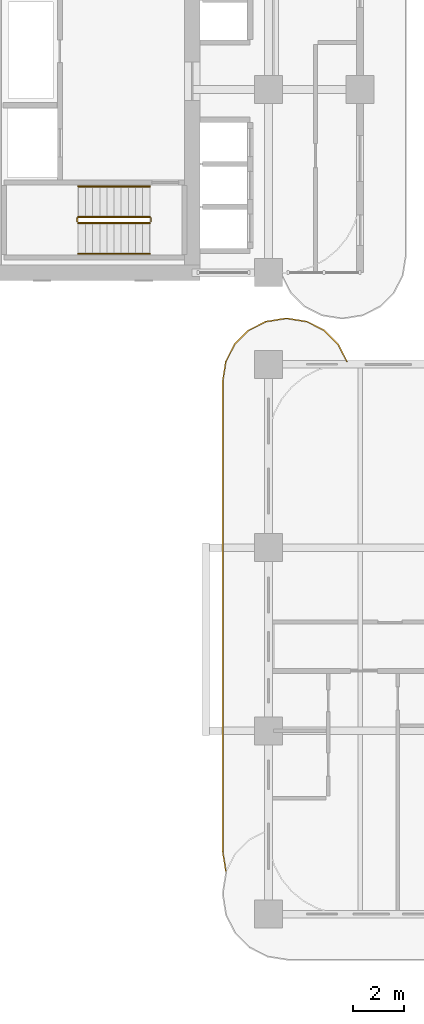
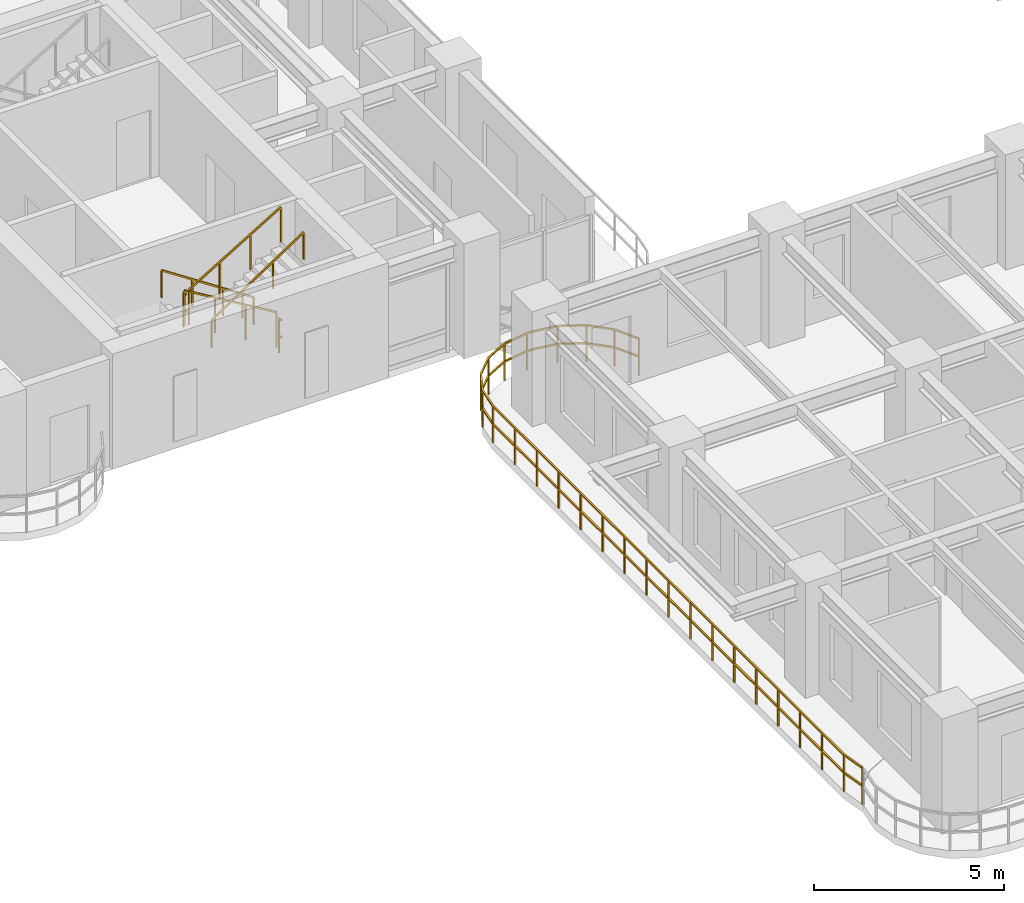
# One storey, part 12 of 18: 7 railings.
"""IFC4 building model written with IfcOpenShell, lengths in metres."""

from ifc_helpers import new_model, si_unit, derived_unit, direction, frame, origin, origin_2d, place, context, subcontext, project, spatial, rectangle, extrude, material, type_object, element, save


model = new_model("IFC4")

# Units and contexts
model_context = context("Model", 3, precision=1e-05, world=origin(), true_north=direction((0.0, 1.0)))
body_context = subcontext(model_context, "Body", "Model", "MODEL_VIEW")
ifc_project = project(units=[si_unit("LENGTHUNIT", "METRE"), si_unit("AREAUNIT", "SQUARE_METRE"), si_unit("VOLUMEUNIT", "CUBIC_METRE"), si_unit("PLANEANGLEUNIT", "RADIAN"), si_unit("MASSUNIT", "GRAM", prefix="KILO"), si_unit("THERMODYNAMICTEMPERATUREUNIT", "KELVIN"), si_unit("POWERUNIT", "WATT"), derived_unit("THERMALTRANSMITTANCEUNIT", [(si_unit("POWERUNIT", "WATT"), 1), (si_unit("AREAUNIT", "SQUARE_METRE"), -1), (si_unit("THERMODYNAMICTEMPERATUREUNIT", "KELVIN"), -1)])], contexts=[model_context])

# Site, building, storey
site_placement = place(None, origin())
site = spatial("IfcSite", under=ifc_project, at=site_placement, CompositionType="ELEMENT")
building_placement = place(site_placement, origin())
building = spatial("IfcBuilding", under=site, at=building_placement, Name="Zahravan Archway Hotel and Residences", CompositionType="ELEMENT")
storey_placement = place(building_placement, frame((0.0, 0.0, 58.300048828125)))
storey = spatial("IfcBuildingStorey", under=building, at=storey_placement, Name="L13", CompositionType="ELEMENT", Elevation=58.300048828125)

# Railings
ifc_material_1 = material(Name="Bronze & Laminated Glass Balustrade", Category="glass")
railing_type_1 = type_object("IfcRailingType", Name="RL-BAL-1200", PredefinedType="BALUSTRADE", material=ifc_material_1)
railing_1_placement = place(storey_placement, frame((12.719970703125, 1.69287109375, 0.0)))
element("IfcRailing", 1, at=railing_1_placement, inside=storey, type_object=railing_type_1, Name="L13 Balustrade RL-SLB-BAL-L13-WA-1", PredefinedType="BALUSTRADE", context=body_context, shape_type="SweptSolid", body=[
    extrude(rectangle(XDim=0.048095703125, YDim=0.048095703125, at=origin_2d()), frame((0.0, 0.0, 1.17578125), z_axis=(-0.156387811283, 0.987695728695, 0.0), x_axis=(-0.987695728695, -0.156387811283, 0.0)), (0.0, 0.0, 1.0), 0.7666015625),
    extrude(rectangle(XDim=0.048095703125, YDim=0.048095703125, at=origin_2d()), frame((0.0, 0.0, 0.60009765625), z_axis=(-0.156387811283, 0.987695728695, 0.0), x_axis=(-0.987695728695, -0.156387811283, 0.0)), (0.0, 0.0, 1.0), 0.7666015625),
    extrude(rectangle(XDim=0.048095703125, YDim=0.048095703125, at=origin_2d()), frame((-0.119873046875, 0.757080078125, 1.17578125), z_axis=(0.0, 1.0, 0.0), x_axis=(-1.0, 0.0, 0.0)), (0.0, 0.0, 1.0), 18.5),
    extrude(rectangle(XDim=0.048095703125, YDim=0.048095703125, at=origin_2d()), frame((-0.119873046875, 0.757080078125, 0.60009765625), z_axis=(0.0, 1.0, 0.0), x_axis=(-1.0, 0.0, 0.0)), (0.0, 0.0, 1.0), 18.5),
    extrude(rectangle(XDim=0.048095703125, YDim=0.048095703125, at=origin_2d()), frame((-0.119873046875, 19.257080078125, 1.17578125), z_axis=(0.156387811283, 0.987695728695, 0.0), x_axis=(-0.987695728695, 0.156387811283, 0.0)), (0.0, 0.0, 1.0), 0.7666015625),
    extrude(rectangle(XDim=0.048095703125, YDim=0.048095703125, at=origin_2d()), frame((-0.119873046875, 19.257080078125, 0.60009765625), z_axis=(0.156387811283, 0.987695728695, 0.0), x_axis=(-0.987695728695, 0.156387811283, 0.0)), (0.0, 0.0, 1.0), 0.7666015625),
    extrude(rectangle(XDim=0.048095703125, YDim=0.048095703125, at=origin_2d()), frame((0.0, 20.01416015625, 1.17578125), z_axis=(0.453825591531, 0.891090529897, 0.0), x_axis=(-0.891090529897, 0.453825591531, 0.0)), (0.0, 0.0, 1.0), 0.7666015625),
    extrude(rectangle(XDim=0.048095703125, YDim=0.048095703125, at=origin_2d()), frame((0.0, 20.01416015625, 0.60009765625), z_axis=(0.453825591531, 0.891090529897, 0.0), x_axis=(-0.891090529897, 0.453825591531, 0.0)), (0.0, 0.0, 1.0), 0.7666015625),
    extrude(rectangle(XDim=0.048095703125, YDim=0.048095703125, at=origin_2d()), frame((0.347900390625, 20.697265625, 1.17578125), z_axis=(0.707106781187, 0.707106781187, 0.0), x_axis=(-0.707106781187, 0.707106781187, 0.0)), (0.0, 0.0, 1.0), 0.7666015625),
    extrude(rectangle(XDim=0.048095703125, YDim=0.048095703125, at=origin_2d()), frame((0.347900390625, 20.697265625, 0.60009765625), z_axis=(0.707106781187, 0.707106781187, 0.0), x_axis=(-0.707106781187, 0.707106781187, 0.0)), (0.0, 0.0, 1.0), 0.7666015625),
    extrude(rectangle(XDim=0.048095703125, YDim=0.048095703125, at=origin_2d()), frame((0.889892578125, 21.2392578125, 1.17578125), z_axis=(0.891090529897, 0.453825591531, 0.0), x_axis=(-0.453825591531, 0.891090529897, 0.0)), (0.0, 0.0, 1.0), 0.7666015625),
    extrude(rectangle(XDim=0.048095703125, YDim=0.048095703125, at=origin_2d()), frame((0.889892578125, 21.2392578125, 0.60009765625), z_axis=(0.891090529897, 0.453825591531, 0.0), x_axis=(-0.453825591531, 0.891090529897, 0.0)), (0.0, 0.0, 1.0), 0.7666015625),
    extrude(rectangle(XDim=0.048095703125, YDim=0.048095703125, at=origin_2d()), frame((1.572998046875, 21.587158203125, 1.17578125), z_axis=(0.987695728695, 0.156387811283, 0.0), x_axis=(-0.156387811283, 0.987695728695, 0.0)), (0.0, 0.0, 1.0), 0.7666015625),
    extrude(rectangle(XDim=0.048095703125, YDim=0.048095703125, at=origin_2d()), frame((1.572998046875, 21.587158203125, 0.60009765625), z_axis=(0.987695728695, 0.156387811283, 0.0), x_axis=(-0.156387811283, 0.987695728695, 0.0)), (0.0, 0.0, 1.0), 0.7666015625),
    extrude(rectangle(XDim=0.048095703125, YDim=0.048095703125, at=origin_2d()), frame((2.330078125, 21.70703125, 1.17578125), z_axis=(1.0, 0.0, 0.0), x_axis=(0.0, 1.0, 0.0)), (0.0, 0.0, 1.0), 0.099853515625),
    extrude(rectangle(XDim=0.048095703125, YDim=0.048095703125, at=origin_2d()), frame((2.330078125, 21.70703125, 0.60009765625), z_axis=(1.0, 0.0, 0.0), x_axis=(0.0, 1.0, 0.0)), (0.0, 0.0, 1.0), 0.099853515625),
    extrude(rectangle(XDim=0.048095703125, YDim=0.048095703125, at=origin_2d()), frame((2.429931640625, 21.70703125, 1.17578125), z_axis=(0.987695728695, -0.156387811283, 0.0), x_axis=(0.156387811283, 0.987695728695, 0.0)), (0.0, 0.0, 1.0), 0.7666015625),
    extrude(rectangle(XDim=0.048095703125, YDim=0.048095703125, at=origin_2d()), frame((2.429931640625, 21.70703125, 0.60009765625), z_axis=(0.987695728695, -0.156387811283, 0.0), x_axis=(0.156387811283, 0.987695728695, 0.0)), (0.0, 0.0, 1.0), 0.7666015625),
    extrude(rectangle(XDim=0.048095703125, YDim=0.048095703125, at=origin_2d()), frame((3.18701171875, 21.587158203125, 1.17578125), z_axis=(0.891090529897, -0.453825591531, 0.0), x_axis=(0.453825591531, 0.891090529897, 0.0)), (0.0, 0.0, 1.0), 0.7666015625),
    extrude(rectangle(XDim=0.048095703125, YDim=0.048095703125, at=origin_2d()), frame((3.18701171875, 21.587158203125, 0.60009765625), z_axis=(0.891090529897, -0.453825591531, 0.0), x_axis=(0.453825591531, 0.891090529897, 0.0)), (0.0, 0.0, 1.0), 0.7666015625),
    extrude(rectangle(XDim=0.048095703125, YDim=0.048095703125, at=origin_2d()), frame((3.8701171875, 21.2392578125, 1.17578125), z_axis=(0.707106781187, -0.707106781187, 0.0), x_axis=(0.707106781187, 0.707106781187, 0.0)), (0.0, 0.0, 1.0), 0.7666015625),
    extrude(rectangle(XDim=0.048095703125, YDim=0.048095703125, at=origin_2d()), frame((3.8701171875, 21.2392578125, 0.60009765625), z_axis=(0.707106781187, -0.707106781187, 0.0), x_axis=(0.707106781187, 0.707106781187, 0.0)), (0.0, 0.0, 1.0), 0.7666015625),
    extrude(rectangle(XDim=0.048095703125, YDim=0.048095703125, at=origin_2d()), frame((4.412109375, 20.697265625, 1.17578125), z_axis=(0.453825591531, -0.891090529897, 0.0), x_axis=(0.891090529897, 0.453825591531, 0.0)), (0.0, 0.0, 1.0), 0.7666015625),
    extrude(rectangle(XDim=0.048095703125, YDim=0.048095703125, at=origin_2d()), frame((4.412109375, 20.697265625, 0.60009765625), z_axis=(0.453825591531, -0.891090529897, 0.0), x_axis=(0.891090529897, 0.453825591531, 0.0)), (0.0, 0.0, 1.0), 0.7666015625),
    extrude(rectangle(XDim=0.0419921875, YDim=0.0419921875, at=origin_2d()), origin(), (0.0, 0.0, 1.0), 1.15185546875),
    extrude(rectangle(XDim=0.0419921875, YDim=0.0419921875, at=origin_2d()), frame((-0.119873046875, 0.757080078125, 0.0)), (0.0, 0.0, 1.0), 1.15185546875),
    extrude(rectangle(XDim=0.0419921875, YDim=0.0419921875, at=origin_2d()), frame((-0.119873046875, 1.913330078125, 0.0)), (0.0, 0.0, 1.0), 1.15185546875),
    extrude(rectangle(XDim=0.0419921875, YDim=0.0419921875, at=origin_2d()), frame((-0.119873046875, 3.069580078125, 0.0)), (0.0, 0.0, 1.0), 1.15185546875),
    extrude(rectangle(XDim=0.0419921875, YDim=0.0419921875, at=origin_2d()), frame((-0.119873046875, 4.225830078125, 0.0)), (0.0, 0.0, 1.0), 1.15185546875),
    extrude(rectangle(XDim=0.0419921875, YDim=0.0419921875, at=origin_2d()), frame((-0.119873046875, 5.382080078125, 0.0)), (0.0, 0.0, 1.0), 1.15185546875),
    extrude(rectangle(XDim=0.0419921875, YDim=0.0419921875, at=origin_2d()), frame((-0.119873046875, 6.538330078125, 0.0)), (0.0, 0.0, 1.0), 1.15185546875),
    extrude(rectangle(XDim=0.0419921875, YDim=0.0419921875, at=origin_2d()), frame((-0.119873046875, 7.694580078125, 0.0)), (0.0, 0.0, 1.0), 1.15185546875),
    extrude(rectangle(XDim=0.0419921875, YDim=0.0419921875, at=origin_2d()), frame((-0.119873046875, 8.850830078125, 0.0)), (0.0, 0.0, 1.0), 1.15185546875),
    extrude(rectangle(XDim=0.0419921875, YDim=0.0419921875, at=origin_2d()), frame((-0.119873046875, 10.007080078125, 0.0)), (0.0, 0.0, 1.0), 1.15185546875),
    extrude(rectangle(XDim=0.0419921875, YDim=0.0419921875, at=origin_2d()), frame((-0.119873046875, 11.163330078125, 0.0)), (0.0, 0.0, 1.0), 1.15185546875),
    extrude(rectangle(XDim=0.0419921875, YDim=0.0419921875, at=origin_2d()), frame((-0.119873046875, 12.319580078125, 0.0)), (0.0, 0.0, 1.0), 1.15185546875),
    extrude(rectangle(XDim=0.0419921875, YDim=0.0419921875, at=origin_2d()), frame((-0.119873046875, 13.475830078125, 0.0)), (0.0, 0.0, 1.0), 1.15185546875),
    extrude(rectangle(XDim=0.0419921875, YDim=0.0419921875, at=origin_2d()), frame((-0.119873046875, 14.632080078125, 0.0)), (0.0, 0.0, 1.0), 1.15185546875),
    extrude(rectangle(XDim=0.0419921875, YDim=0.0419921875, at=origin_2d()), frame((-0.119873046875, 15.788330078125, 0.0)), (0.0, 0.0, 1.0), 1.15185546875),
    extrude(rectangle(XDim=0.0419921875, YDim=0.0419921875, at=origin_2d()), frame((-0.119873046875, 16.944580078125, 0.0)), (0.0, 0.0, 1.0), 1.15185546875),
    extrude(rectangle(XDim=0.0419921875, YDim=0.0419921875, at=origin_2d()), frame((-0.119873046875, 18.100830078125, 0.0)), (0.0, 0.0, 1.0), 1.15185546875),
    extrude(rectangle(XDim=0.0419921875, YDim=0.0419921875, at=origin_2d()), frame((-0.119873046875, 19.257080078125, 0.0)), (0.0, 0.0, 1.0), 1.15185546875),
    extrude(rectangle(XDim=0.0419921875, YDim=0.0419921875, at=origin_2d()), frame((0.0, 20.01416015625, 0.0)), (0.0, 0.0, 1.0), 1.15185546875),
    extrude(rectangle(XDim=0.0419921875, YDim=0.0419921875, at=origin_2d()), frame((0.347900390625, 20.697265625, 0.0)), (0.0, 0.0, 1.0), 1.15185546875),
    extrude(rectangle(XDim=0.0419921875, YDim=0.0419921875, at=origin_2d()), frame((0.889892578125, 21.2392578125, 0.0)), (0.0, 0.0, 1.0), 1.15185546875),
    extrude(rectangle(XDim=0.0419921875, YDim=0.0419921875, at=origin_2d()), frame((1.572998046875, 21.587158203125, 0.0)), (0.0, 0.0, 1.0), 1.15185546875),
    extrude(rectangle(XDim=0.0419921875, YDim=0.0419921875, at=origin_2d()), frame((2.330078125, 21.70703125, 0.0)), (0.0, 0.0, 1.0), 1.15185546875),
    extrude(rectangle(XDim=0.0419921875, YDim=0.0419921875, at=origin_2d()), frame((3.18701171875, 21.587158203125, 0.0)), (0.0, 0.0, 1.0), 1.15185546875),
    extrude(rectangle(XDim=0.0419921875, YDim=0.0419921875, at=origin_2d()), frame((3.8701171875, 21.2392578125, 0.0)), (0.0, 0.0, 1.0), 1.15185546875),
    extrude(rectangle(XDim=0.0419921875, YDim=0.0419921875, at=origin_2d()), frame((4.412109375, 20.697265625, 0.0)), (0.0, 0.0, 1.0), 1.15185546875),
    extrude(rectangle(XDim=0.0419921875, YDim=0.0419921875, at=origin_2d()), frame((4.760009765625, 20.01416015625, 0.0)), (0.0, 0.0, 1.0), 1.15185546875),
])
ifc_material_2 = material(Name="Painted Tubular Steel", Category="steel")
railing_type_2 = type_object("IfcRailingType", Name="RL-STG-1150", PredefinedType="GUARDRAIL", material=ifc_material_2)
railing_2_placement = place(storey_placement, frame((9.72998046875, 27.389892578125, 0.168212890625)))
element("IfcRailing", 2, at=railing_2_placement, inside=storey, type_object=railing_type_2, Name="L13 ST-B1 stair guard 1", PredefinedType="GUARDRAIL", context=body_context, shape_type="SweptSolid", body=[
    extrude(rectangle(XDim=0.048095703125, YDim=0.048095703125, at=origin_2d()), frame((0.0, 0.0, 1.1259765625), z_axis=(-0.857275202839, 0.0, 0.514858452973), x_axis=(0.0, -1.0, 0.0)), (0.0, 0.0, 1.0), 3.26611328125),
    extrude(rectangle(XDim=0.0419921875, YDim=0.0419921875, at=origin_2d()), origin(), (0.0, 0.0, 1.0), 1.101806640625),
    extrude(rectangle(XDim=0.0419921875, YDim=0.0419921875, at=origin_2d()), frame((-0.933349609375, 0.0, 0.560546875)), (0.0, 0.0, 1.0), 1.101806640625),
    extrude(rectangle(XDim=0.0419921875, YDim=0.0419921875, at=origin_2d()), frame((-1.86669921875, 0.0, 1.12109375)), (0.0, 0.0, 1.0), 1.101806640625),
    extrude(rectangle(XDim=0.0419921875, YDim=0.0419921875, at=origin_2d()), frame((-2.800048828125, 0.0, 1.681640625)), (0.0, 0.0, 1.0), 1.101806640625),
])
railing_3_placement = place(storey_placement, frame((6.8798828125, 27.340087890625, 1.849853515625)))
element("IfcRailing", 3, at=railing_3_placement, inside=storey, type_object=railing_type_2, Name="L13 ST-B1 stair guard 2", PredefinedType="GUARDRAIL", context=body_context, shape_type="SweptSolid", body=[
    extrude(rectangle(XDim=0.048095703125, YDim=0.048095703125, at=origin_2d()), frame((0.0, 0.0, 1.1259765625), z_axis=(0.0, -1.0, 0.0), x_axis=(1.0, 0.0, 0.0)), (0.0, 0.0, 1.0), 0.14013671875),
    extrude(rectangle(XDim=0.048095703125, YDim=0.048095703125, at=origin_2d()), frame((0.0, 0.0, 0.574951171875), z_axis=(0.0, -1.0, 0.0), x_axis=(1.0, 0.0, 0.0)), (0.0, 0.0, 1.0), 0.14013671875),
    extrude(rectangle(XDim=0.0419921875, YDim=0.0419921875, at=origin_2d()), origin(), (0.0, 0.0, 1.0), 1.101806640625),
])
railing_4_placement = place(storey_placement, frame((6.929931640625, 27.14990234375, 2.01806640625)))
element("IfcRailing", 4, at=railing_4_placement, inside=storey, type_object=railing_type_2, Name="L13 ST-B1 stair guard 3", PredefinedType="GUARDRAIL", context=body_context, shape_type="SweptSolid", body=[
    extrude(rectangle(XDim=0.048095703125, YDim=0.048095703125, at=origin_2d()), frame((0.0, 0.0, 1.1259765625), z_axis=(0.857242210791, 0.0, 0.514913383045), x_axis=(0.0, 1.0, 0.0)), (0.0, 0.0, 1.0), 3.266357421875),
    extrude(rectangle(XDim=0.0419921875, YDim=0.0419921875, at=origin_2d()), origin(), (0.0, 0.0, 1.0), 1.101806640625),
    extrude(rectangle(XDim=0.0419921875, YDim=0.0419921875, at=origin_2d()), frame((0.933349609375, 0.0, 0.560546875)), (0.0, 0.0, 1.0), 1.101806640625),
    extrude(rectangle(XDim=0.0419921875, YDim=0.0419921875, at=origin_2d()), frame((1.86669921875, 0.0, 1.121337890625)), (0.0, 0.0, 1.0), 1.101806640625),
    extrude(rectangle(XDim=0.0419921875, YDim=0.0419921875, at=origin_2d()), frame((2.800048828125, 0.0, 1.681884765625)), (0.0, 0.0, 1.0), 1.101806640625),
])
railing_5_placement = place(storey_placement, frame((9.780029296875, 27.340087890625, 0.0)))
element("IfcRailing", 5, at=railing_5_placement, inside=storey, type_object=railing_type_2, Name="L13 ST-B1 stair guard 4", PredefinedType="GUARDRAIL", context=body_context, shape_type="SweptSolid", body=[
    extrude(rectangle(XDim=0.048095703125, YDim=0.048095703125, at=origin_2d()), frame((0.0, 0.0, 1.1259765625), z_axis=(0.0, -1.0, 0.0), x_axis=(1.0, 0.0, 0.0)), (0.0, 0.0, 1.0), 0.14013671875),
    extrude(rectangle(XDim=0.048095703125, YDim=0.048095703125, at=origin_2d()), frame((0.0, 0.0, 0.574951171875), z_axis=(0.0, -1.0, 0.0), x_axis=(1.0, 0.0, 0.0)), (0.0, 0.0, 1.0), 0.14013671875),
    extrude(rectangle(XDim=0.0419921875, YDim=0.0419921875, at=origin_2d()), origin(), (0.0, 0.0, 1.0), 1.101806640625),
])
ifc_material_3 = material(Name="Brushed Stainless Steel", Category="steel")
railing_type_3 = type_object("IfcRailingType", Name="RL-STH-900", PredefinedType="HANDRAIL", material=ifc_material_3)
railing_6_placement = place(storey_placement, frame((9.72998046875, 28.590087890625, 0.168212890625)))
element("IfcRailing", 6, at=railing_6_placement, inside=storey, type_object=railing_type_3, Name="L13 ST-B1 stair handrail 1", PredefinedType="HANDRAIL", context=body_context, shape_type="SweptSolid", body=[
    extrude(rectangle(XDim=0.048095703125, YDim=0.048095703125, at=origin_2d()), frame((0.0, 0.0, 0.8759765625), z_axis=(-0.83435981716, 0.0, 0.551220187865), x_axis=(0.0, -1.0, 0.0)), (0.0, 0.0, 1.0), 3.35595703125),
    extrude(rectangle(XDim=0.0419921875, YDim=0.0419921875, at=origin_2d()), origin(), (0.0, 0.0, 1.0), 0.851806640625),
    extrude(rectangle(XDim=0.0419921875, YDim=0.0419921875, at=origin_2d()), frame((-0.933349609375, 0.0, 0.61669921875)), (0.0, 0.0, 1.0), 0.851806640625),
    extrude(rectangle(XDim=0.0419921875, YDim=0.0419921875, at=origin_2d()), frame((-1.86669921875, 0.0, 1.233154296875)), (0.0, 0.0, 1.0), 0.851806640625),
    extrude(rectangle(XDim=0.0419921875, YDim=0.0419921875, at=origin_2d()), frame((-2.800048828125, 0.0, 1.849853515625)), (0.0, 0.0, 1.0), 0.851806640625),
])
railing_7_placement = place(storey_placement, frame((6.929931640625, 25.949951171875, 2.01806640625)))
element("IfcRailing", 7, at=railing_7_placement, inside=storey, type_object=railing_type_3, Name="L13 ST-B1 stair handrail 2", PredefinedType="HANDRAIL", context=body_context, shape_type="SweptSolid", body=[
    extrude(rectangle(XDim=0.048095703125, YDim=0.048095703125, at=origin_2d()), frame((0.0, 0.0, 0.8759765625), z_axis=(0.834326358476, 0.0, 0.551270829586), x_axis=(0.0, 1.0, 0.0)), (0.0, 0.0, 1.0), 3.35595703125),
    extrude(rectangle(XDim=0.0419921875, YDim=0.0419921875, at=origin_2d()), origin(), (0.0, 0.0, 1.0), 0.851806640625),
    extrude(rectangle(XDim=0.0419921875, YDim=0.0419921875, at=origin_2d()), frame((0.933349609375, 0.0, 0.61669921875)), (0.0, 0.0, 1.0), 0.851806640625),
    extrude(rectangle(XDim=0.0419921875, YDim=0.0419921875, at=origin_2d()), frame((1.86669921875, 0.0, 1.2333984375)), (0.0, 0.0, 1.0), 0.851806640625),
    extrude(rectangle(XDim=0.0419921875, YDim=0.0419921875, at=origin_2d()), frame((2.800048828125, 0.0, 1.85009765625)), (0.0, 0.0, 1.0), 0.851806640625),
])

save(model, "model.ifc")
